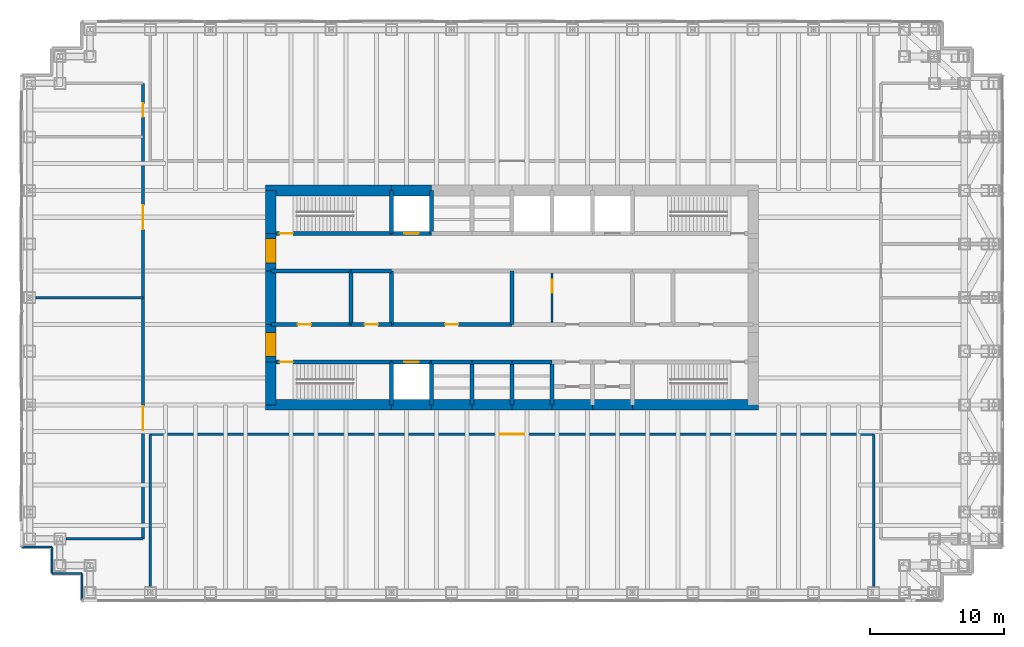
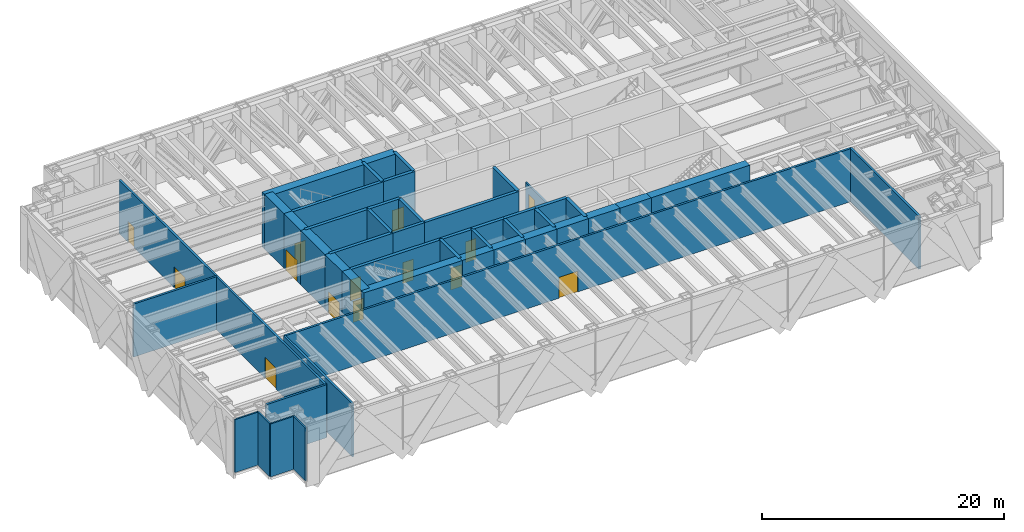
# One storey, part 14 of 17: 48 walls, 14 doors, 14 openings.
"""IFC4 building model written with IfcOpenShell, lengths in metres."""

from ifc_helpers import new_model, si_unit, direction, frame, frame_2d, origin, place, context, subcontext, project, spatial, rectangle, extrude, material, layer, layer_set, type_object, element, fill, save


model = new_model("IFC4")

# Units and contexts
model_context = context("Model", 3, precision=1e-05, world=origin(), true_north=direction((0.0, 1.0)))
body_context = subcontext(model_context, "Body", "Model", "MODEL_VIEW")
ifc_project = project(units=[si_unit("LENGTHUNIT", "METRE"), si_unit("AREAUNIT", "SQUARE_METRE"), si_unit("VOLUMEUNIT", "CUBIC_METRE"), si_unit("PLANEANGLEUNIT", "RADIAN"), si_unit("MASSUNIT", "GRAM", prefix="KILO")], contexts=[model_context])

# Site, building, storey
site_placement = place(None, origin())
site = spatial("IfcSite", under=ifc_project, at=site_placement, CompositionType="ELEMENT")
building_placement = place(site_placement, origin())
building = spatial("IfcBuilding", under=site, at=building_placement, Name="Rheinbord Bourse Tower", CompositionType="ELEMENT")
storey_placement = place(building_placement, frame((0.0, 0.0, 265.60009765625)))
storey = spatial("IfcBuildingStorey", under=building, at=storey_placement, Name="L60", CompositionType="ELEMENT", Elevation=265.60009765625)

# Wall, opening, door
ifc_material_1 = material(Name="Concrete C50/60", Category="concrete")
ifc_layer_1 = layer(ifc_material_1, 0.300048828125)
ifc_layer_set_1 = layer_set([ifc_layer_1], Name="CORE INNER WALL 300")
wall_type_1 = type_object("IfcWallType", Name="CORE INNER WALL 300", PredefinedType="SOLIDWALL", material=ifc_layer_set_1)
wall_1_placement = place(storey_placement, frame((18.0, 19.199951171875, 0.0), z_axis=(0.0, 0.0, 1.0), x_axis=(1.0, 0.0, 0.0)))
wall_1 = element("IfcWall", 1, at=wall_1_placement, inside=storey, type_object=wall_type_1, Name="Core wall A1 L60", PredefinedType="SOLIDWALL", context=body_context, shape_type="SweptSolid", body=[
    extrude(rectangle(XDim=9.0, YDim=0.300048828125, at=frame_2d((4.5, 0.0))), origin(), (0.0, 0.0, 1.0), 5.5),
])
opening_1_placement = place(wall_1_placement, frame((0.64990234375, 0.0, 0.0)))
opening_1 = element("IfcOpeningElement", 2, at=opening_1_placement, cuts=wall_1, Name="Opening 6010", PredefinedType="OPENING", context=body_context, shape_type="SweptSolid", body=[
    extrude(rectangle(XDim=1.0, YDim=2.10009765625, at=frame_2d((0.5, 1.050048828125))), frame((0.0, 0.159912109375, 0.0), z_axis=(0.0, -1.0, 0.0), x_axis=(1.0, 0.0, 0.0)), (0.0, 0.0, 1.0), 0.320068359375),
])
ifc_material_2 = material(Name="Steel door", Category="steel")
door_type_1 = type_object("IfcDoorType", Name="DOOR 1000 EI30", OperationType="SINGLE_SWING_LEFT", PredefinedType="DOOR", material=ifc_material_2)
door_1_placement = place(opening_1_placement, origin())
door_1 = element("IfcDoor", 3, at=door_1_placement, inside=storey, type_object=door_type_1, Name="Stair door ST1 L60", OperationType="SINGLE_SWING_LEFT", OverallHeight=2.10009765625, OverallWidth=1.0, PredefinedType="DOOR", context=body_context, shape_type="SweptSolid", body=[
    extrude(rectangle(XDim=1.0, YDim=2.10009765625, at=frame_2d((0.5, 1.050048828125))), frame((0.0, 0.02490234375, 0.0), z_axis=(0.0, -1.0, 0.0), x_axis=(1.0, 0.0, 0.0)), (0.0, 0.0, 1.0), 0.050048828125),
])
fill(opening_1, door_1)

wall_2_placement = place(storey_placement, frame((27.0, 19.199951171875, 0.0), z_axis=(0.0, 0.0, 1.0), x_axis=(1.0, 0.0, 0.0)))
wall_2 = element("IfcWall", 4, at=wall_2_placement, inside=storey, type_object=wall_type_1, Name="Core wall A2 L60", PredefinedType="SOLIDWALL", context=body_context, shape_type="SweptSolid", body=[
    extrude(rectangle(XDim=3.0, YDim=0.300048828125, at=frame_2d((1.5, 0.0))), origin(), (0.0, 0.0, 1.0), 5.5),
])
opening_2_placement = place(wall_2_placement, frame((0.949951171875, 0.0, 0.0)))
opening_2 = element("IfcOpeningElement", 5, at=opening_2_placement, cuts=wall_2, Name="Opening FL1", PredefinedType="OPENING", context=body_context, shape_type="SweptSolid", body=[
    extrude(rectangle(XDim=1.10009765625, YDim=2.199951171875, at=frame_2d((0.550048828125, 1.10009765625))), frame((0.0, 0.159912109375, 0.0), z_axis=(0.0, -1.0, 0.0), x_axis=(1.0, 0.0, 0.0)), (0.0, 0.0, 1.0), 0.320068359375),
])
ifc_material_3 = material(Name="Steel landing door", Category="steel")
door_type_2 = type_object("IfcDoorType", Name="LIFT LANDING DOOR 1100", OperationType="DOUBLE_DOOR_SLIDING", PredefinedType="USERDEFINED", material=ifc_material_3)
door_2_placement = place(opening_2_placement, origin())
door_2 = element("IfcDoor", 6, at=door_2_placement, inside=storey, type_object=door_type_2, Name="Lift landing door FL1 L60", ObjectType="LIFT LANDING DOOR", OperationType="DOUBLE_DOOR_SLIDING", OverallHeight=2.199951171875, OverallWidth=1.10009765625, PredefinedType="USERDEFINED", context=body_context, shape_type="SweptSolid", body=[
    extrude(rectangle(XDim=1.10009765625, YDim=2.199951171875, at=frame_2d((0.550048828125, 1.10009765625))), frame((0.0, 0.02490234375, 0.0), z_axis=(0.0, -1.0, 0.0), x_axis=(1.0, 0.0, 0.0)), (0.0, 0.0, 1.0), 0.050048828125),
])
fill(opening_2, door_2)

# Walls
for number, where, z_axis, x_axis, name in (
    (7, (30.0, 19.199951171875, 0.0), (0.0, 0.0, 1.0), (1.0, 0.0, 0.0), "Core wall A3 L60"),
    (8, (33.0, 19.199951171875, 0.0), (0.0, 0.0, 1.0), (1.0, 0.0, 0.0), "Core wall A4 L60"),
    (9, (36.0, 19.199951171875, 0.0), (0.0, 0.0, 1.0), (1.0, 0.0, 0.0), "Core wall A5 L60"),
):
    element("IfcWall", number, at=place(storey_placement, frame(where, z_axis=z_axis, x_axis=x_axis)), inside=storey, type_object=wall_type_1, Name=name, PredefinedType="SOLIDWALL", context=body_context, shape_type="SweptSolid", body=[
        extrude(rectangle(XDim=3.0, YDim=0.300048828125, at=frame_2d((1.5, 0.0))), origin(), (0.0, 0.0, 1.0), 5.5),
    ])

# Wall, opening, door
wall_3_placement = place(storey_placement, frame((18.0, 28.800048828125, 0.0), z_axis=(0.0, 0.0, 1.0), x_axis=(1.0, 0.0, 0.0)))
wall_3 = element("IfcWall", 10, at=wall_3_placement, inside=storey, type_object=wall_type_1, Name="Core wall B1 L60", PredefinedType="SOLIDWALL", context=body_context, shape_type="SweptSolid", body=[
    extrude(rectangle(XDim=9.0, YDim=0.300048828125, at=frame_2d((4.5, 0.0))), origin(), (0.0, 0.0, 1.0), 5.5),
])
opening_3_placement = place(wall_3_placement, frame((0.64990234375, 0.0, 0.0)))
opening_3 = element("IfcOpeningElement", 11, at=opening_3_placement, cuts=wall_3, Name="Opening 6020", PredefinedType="OPENING", context=body_context, shape_type="SweptSolid", body=[
    extrude(rectangle(XDim=1.0, YDim=2.10009765625, at=frame_2d((0.5, 1.050048828125))), frame((0.0, 0.159912109375, 0.0), z_axis=(0.0, -1.0, 0.0), x_axis=(1.0, 0.0, 0.0)), (0.0, 0.0, 1.0), 0.320068359375),
])
door_3_placement = place(opening_3_placement, origin())
door_3 = element("IfcDoor", 12, at=door_3_placement, inside=storey, type_object=door_type_1, Name="Stair door ST2 L60", OperationType="SINGLE_SWING_LEFT", OverallHeight=2.10009765625, OverallWidth=1.0, PredefinedType="DOOR", context=body_context, shape_type="SweptSolid", body=[
    extrude(rectangle(XDim=1.0, YDim=2.10009765625, at=frame_2d((0.5, 1.050048828125))), frame((0.0, 0.02490234375, 0.0), z_axis=(0.0, -1.0, 0.0), x_axis=(1.0, 0.0, 0.0)), (0.0, 0.0, 1.0), 0.050048828125),
])
fill(opening_3, door_3)

wall_4_placement = place(storey_placement, frame((27.0, 28.800048828125, 0.0), z_axis=(0.0, 0.0, 1.0), x_axis=(1.0, 0.0, 0.0)))
wall_4 = element("IfcWall", 13, at=wall_4_placement, inside=storey, type_object=wall_type_1, Name="Core wall B2 L60", PredefinedType="SOLIDWALL", context=body_context, shape_type="SweptSolid", body=[
    extrude(rectangle(XDim=3.0, YDim=0.300048828125, at=frame_2d((1.5, 0.0))), origin(), (0.0, 0.0, 1.0), 5.5),
])
opening_4_placement = place(wall_4_placement, frame((0.949951171875, 0.0, 0.0)))
opening_4 = element("IfcOpeningElement", 14, at=opening_4_placement, cuts=wall_4, Name="Opening GL1", PredefinedType="OPENING", context=body_context, shape_type="SweptSolid", body=[
    extrude(rectangle(XDim=1.10009765625, YDim=2.199951171875, at=frame_2d((0.550048828125, 1.10009765625))), frame((0.0, 0.159912109375, 0.0), z_axis=(0.0, -1.0, 0.0), x_axis=(1.0, 0.0, 0.0)), (0.0, 0.0, 1.0), 0.320068359375),
])
door_4_placement = place(opening_4_placement, origin())
door_4 = element("IfcDoor", 15, at=door_4_placement, inside=storey, type_object=door_type_2, Name="Lift landing door GL1 L60", ObjectType="LIFT LANDING DOOR", OperationType="DOUBLE_DOOR_SLIDING", OverallHeight=2.199951171875, OverallWidth=1.10009765625, PredefinedType="USERDEFINED", context=body_context, shape_type="SweptSolid", body=[
    extrude(rectangle(XDim=1.10009765625, YDim=2.199951171875, at=frame_2d((0.550048828125, 1.10009765625))), frame((0.0, 0.02490234375, 0.0), z_axis=(0.0, -1.0, 0.0), x_axis=(1.0, 0.0, 0.0)), (0.0, 0.0, 1.0), 0.050048828125),
])
fill(opening_4, door_4)

wall_5_placement = place(storey_placement, frame((18.0, 22.0, 0.0), z_axis=(0.0, 0.0, 1.0), x_axis=(1.0, 0.0, 0.0)))
wall_5 = element("IfcWall", 16, at=wall_5_placement, inside=storey, type_object=wall_type_1, Name="Core wall C1 L60", PredefinedType="SOLIDWALL", context=body_context, shape_type="SweptSolid", body=[
    extrude(rectangle(XDim=6.0, YDim=0.300048828125, at=frame_2d((3.0, 0.0))), origin(), (0.0, 0.0, 1.0), 5.5),
])
opening_5_placement = place(wall_5_placement, frame((2.0, 0.0, 0.0)))
opening_5 = element("IfcOpeningElement", 17, at=opening_5_placement, cuts=wall_5, Name="Opening 60R1", PredefinedType="OPENING", context=body_context, shape_type="SweptSolid", body=[
    extrude(rectangle(XDim=1.0, YDim=2.10009765625, at=frame_2d((0.5, 1.050048828125))), frame((0.0, 0.159912109375, 0.0), z_axis=(0.0, -1.0, 0.0), x_axis=(1.0, 0.0, 0.0)), (0.0, 0.0, 1.0), 0.320068359375),
])
ifc_material_4 = material(Name="Timber door", Category="wood")
door_type_3 = type_object("IfcDoorType", Name="DOOR 1000 WC", OperationType="SINGLE_SWING_LEFT", PredefinedType="DOOR", material=ifc_material_4)
door_5_placement = place(opening_5_placement, origin())
door_5 = element("IfcDoor", 18, at=door_5_placement, inside=storey, type_object=door_type_3, Name="WC men door L60", OperationType="SINGLE_SWING_LEFT", OverallHeight=2.10009765625, OverallWidth=1.0, PredefinedType="DOOR", context=body_context, shape_type="SweptSolid", body=[
    extrude(rectangle(XDim=1.0, YDim=2.10009765625, at=frame_2d((0.5, 1.050048828125))), frame((0.0, 0.02490234375, 0.0), z_axis=(0.0, -1.0, 0.0), x_axis=(1.0, 0.0, 0.0)), (0.0, 0.0, 1.0), 0.050048828125),
])
fill(opening_5, door_5)

wall_6_placement = place(storey_placement, frame((24.0, 22.0, 0.0), z_axis=(0.0, 0.0, 1.0), x_axis=(1.0, 0.0, 0.0)))
wall_6 = element("IfcWall", 19, at=wall_6_placement, inside=storey, type_object=wall_type_1, Name="Core wall C2 L60", PredefinedType="SOLIDWALL", context=body_context, shape_type="SweptSolid", body=[
    extrude(rectangle(XDim=3.0, YDim=0.300048828125, at=frame_2d((1.5, 0.0))), origin(), (0.0, 0.0, 1.0), 5.5),
])
opening_6_placement = place(wall_6_placement, frame((1.0, 0.0, 0.0)))
opening_6 = element("IfcOpeningElement", 20, at=opening_6_placement, cuts=wall_6, Name="Opening 60R2", PredefinedType="OPENING", context=body_context, shape_type="SweptSolid", body=[
    extrude(rectangle(XDim=1.0, YDim=2.10009765625, at=frame_2d((0.5, 1.050048828125))), frame((0.0, 0.159912109375, 0.0), z_axis=(0.0, -1.0, 0.0), x_axis=(1.0, 0.0, 0.0)), (0.0, 0.0, 1.0), 0.320068359375),
])
door_6_placement = place(opening_6_placement, origin())
door_6 = element("IfcDoor", 21, at=door_6_placement, inside=storey, type_object=door_type_3, Name="Accessible WC door L60", OperationType="SINGLE_SWING_LEFT", OverallHeight=2.10009765625, OverallWidth=1.0, PredefinedType="DOOR", context=body_context, shape_type="SweptSolid", body=[
    extrude(rectangle(XDim=1.0, YDim=2.10009765625, at=frame_2d((0.5, 1.050048828125))), frame((0.0, 0.02490234375, 0.0), z_axis=(0.0, -1.0, 0.0), x_axis=(1.0, 0.0, 0.0)), (0.0, 0.0, 1.0), 0.050048828125),
])
fill(opening_6, door_6)

wall_7_placement = place(storey_placement, frame((27.0, 22.0, 0.0), z_axis=(0.0, 0.0, 1.0), x_axis=(1.0, 0.0, 0.0)))
wall_7 = element("IfcWall", 22, at=wall_7_placement, inside=storey, type_object=wall_type_1, Name="Core wall C3 L60", PredefinedType="SOLIDWALL", context=body_context, shape_type="SweptSolid", body=[
    extrude(rectangle(XDim=9.0, YDim=0.300048828125, at=frame_2d((4.5, 0.0))), origin(), (0.0, 0.0, 1.0), 5.5),
])
opening_7_placement = place(wall_7_placement, frame((4.0, 0.0, 0.0)))
opening_7 = element("IfcOpeningElement", 23, at=opening_7_placement, cuts=wall_7, Name="Opening 60R3", PredefinedType="OPENING", context=body_context, shape_type="SweptSolid", body=[
    extrude(rectangle(XDim=1.0, YDim=2.10009765625, at=frame_2d((0.5, 1.050048828125))), frame((0.0, 0.159912109375, 0.0), z_axis=(0.0, -1.0, 0.0), x_axis=(1.0, 0.0, 0.0)), (0.0, 0.0, 1.0), 0.320068359375),
])
door_7_placement = place(opening_7_placement, origin())
door_7 = element("IfcDoor", 24, at=door_7_placement, inside=storey, type_object=door_type_1, Name="Riser door L60", OperationType="SINGLE_SWING_LEFT", OverallHeight=2.10009765625, OverallWidth=1.0, PredefinedType="DOOR", context=body_context, shape_type="SweptSolid", body=[
    extrude(rectangle(XDim=1.0, YDim=2.10009765625, at=frame_2d((0.5, 1.050048828125))), frame((0.0, 0.02490234375, 0.0), z_axis=(0.0, -1.0, 0.0), x_axis=(1.0, 0.0, 0.0)), (0.0, 0.0, 1.0), 0.050048828125),
])
fill(opening_7, door_7)

# Walls
wall_8_placement = place(storey_placement, frame((18.0, 26.0, 0.0), z_axis=(0.0, 0.0, 1.0), x_axis=(1.0, 0.0, 0.0)))
element("IfcWall", 25, at=wall_8_placement, inside=storey, type_object=wall_type_1, Name="Core wall D1 L60", PredefinedType="SOLIDWALL", context=body_context, shape_type="SweptSolid", body=[
    extrude(rectangle(XDim=6.0, YDim=0.300048828125, at=frame_2d((3.0, 0.0))), origin(), (0.0, 0.0, 1.0), 5.5),
])
wall_9_placement = place(storey_placement, frame((24.0, 26.0, 0.0), z_axis=(0.0, 0.0, 1.0), x_axis=(1.0, 0.0, 0.0)))
element("IfcWall", 26, at=wall_9_placement, inside=storey, type_object=wall_type_1, Name="Core wall D2 L60", PredefinedType="SOLIDWALL", context=body_context, shape_type="SweptSolid", body=[
    extrude(rectangle(XDim=3.0, YDim=0.300048828125, at=frame_2d((1.5, 0.0))), origin(), (0.0, 0.0, 1.0), 5.5),
])
for number, where, z_axis, x_axis, name in (
    (27, (27.0, 16.0, 0.0), (0.0, 0.0, 1.0), (0.0, 1.0, 0.0), "Core wall SX27 L60"),
    (28, (27.0, 28.800048828125, 0.0), (0.0, 0.0, 1.0), (0.0, 1.0, 0.0), "Core wall NX27 L60"),
    (29, (30.0, 16.0, 0.0), (0.0, 0.0, 1.0), (0.0, 1.0, 0.0), "Core wall SX30 L60"),
    (30, (30.0, 28.800048828125, 0.0), (0.0, 0.0, 1.0), (0.0, 1.0, 0.0), "Core wall NX30 L60"),
    (31, (33.0, 16.0, 0.0), (0.0, 0.0, 1.0), (0.0, 1.0, 0.0), "Core wall SX33 L60"),
    (32, (36.0, 16.0, 0.0), (0.0, 0.0, 1.0), (0.0, 1.0, 0.0), "Core wall SX36 L60"),
    (33, (39.0, 16.0, 0.0), (0.0, 0.0, 1.0), (0.0, 1.0, 0.0), "Core wall SX39 L60"),
):
    element("IfcWall", number, at=place(storey_placement, frame(where, z_axis=z_axis, x_axis=x_axis)), inside=storey, type_object=wall_type_1, Name=name, PredefinedType="SOLIDWALL", context=body_context, shape_type="SweptSolid", body=[
        extrude(rectangle(XDim=3.199951171875, YDim=0.300048828125, at=frame_2d((1.60009765625, 0.0))), origin(), (0.0, 0.0, 1.0), 5.5),
    ])
for number, where, z_axis, x_axis, name in (
    (34, (24.0, 22.0, 0.0), (0.0, 0.0, 1.0), (0.0, 1.0, 0.0), "Core wall MX24 L60"),
    (35, (27.0, 22.0, 0.0), (0.0, 0.0, 1.0), (0.0, 1.0, 0.0), "Core wall MX27 L60"),
    (36, (36.0, 22.0, 0.0), (0.0, 0.0, 1.0), (0.0, 1.0, 0.0), "Core wall MX36 L60"),
):
    element("IfcWall", number, at=place(storey_placement, frame(where, z_axis=z_axis, x_axis=x_axis)), inside=storey, type_object=wall_type_1, Name=name, PredefinedType="SOLIDWALL", context=body_context, shape_type="SweptSolid", body=[
        extrude(rectangle(XDim=4.0, YDim=0.300048828125, at=frame_2d((2.0, 0.0))), origin(), (0.0, 0.0, 1.0), 5.5),
    ])

# Wall, opening, door
ifc_material_5 = material(Name="Gypsum board fire partition", Category="gypsum board")
ifc_layer_2 = layer(ifc_material_5, 0.14990234375)
ifc_layer_set_2 = layer_set([ifc_layer_2], Name="CORE PARTITION 150 EI30")
wall_type_2 = type_object("IfcWallType", Name="CORE PARTITION 150 EI30", PredefinedType="PARTITIONING", material=ifc_layer_set_2)
wall_10_placement = place(storey_placement, frame((39.0, 22.14990234375, 0.0), z_axis=(0.0, 0.0, 1.0), x_axis=(0.0, 1.0, 0.0)))
wall_10 = element("IfcWall", 37, at=wall_10_placement, inside=storey, type_object=wall_type_2, Name="Core partition L60-1", PredefinedType="PARTITIONING", context=body_context, shape_type="SweptSolid", body=[
    extrude(rectangle(XDim=3.7001953125, YDim=0.14990234375, at=frame_2d((1.85009765625, 0.0))), origin(), (0.0, 0.0, 1.0), 3.0),
])
opening_8_placement = place(wall_10_placement, frame((2.199951171875, 0.0, 0.0)))
opening_8 = element("IfcOpeningElement", 38, at=opening_8_placement, cuts=wall_10, Name="Opening 60R7", PredefinedType="OPENING", context=body_context, shape_type="SweptSolid", body=[
    extrude(rectangle(XDim=1.0, YDim=2.10009765625, at=frame_2d((0.5, 1.050048828125))), frame((0.0, 0.0849609375, 0.0), z_axis=(0.0, -1.0, 0.0), x_axis=(1.0, 0.0, 0.0)), (0.0, 0.0, 1.0), 0.169921875),
])
door_8_placement = place(opening_8_placement, origin())
door_8 = element("IfcDoor", 39, at=door_8_placement, inside=storey, type_object=door_type_1, Name="Cleaner's store door L60", OperationType="SINGLE_SWING_RIGHT", OverallHeight=2.10009765625, OverallWidth=1.0, PredefinedType="DOOR", context=body_context, shape_type="SweptSolid", body=[
    extrude(rectangle(XDim=1.0, YDim=2.10009765625, at=frame_2d((0.5, 1.050048828125))), frame((0.0, 0.02490234375, 0.0), z_axis=(0.0, -1.0, 0.0), x_axis=(1.0, 0.0, 0.0)), (0.0, 0.0, 1.0), 0.050048828125),
])
fill(opening_8, door_8)

# Walls
ifc_material_6 = material(Name="Concrete C50/60", Category="concrete")
ifc_layer_3 = layer(ifc_material_6, 0.800048828125)
ifc_layer_set_3 = layer_set([ifc_layer_3], Name="CORE WALL 800")
wall_type_3 = type_object("IfcWallType", Name="CORE WALL 800", PredefinedType="SHEAR", material=ifc_layer_set_3)
wall_11_placement = place(storey_placement, frame((17.60009765625, 16.0, 0.0), z_axis=(0.0, 0.0, 1.0), x_axis=(1.0, 0.0, 0.0)))
element("IfcWall", 40, at=wall_11_placement, inside=storey, type_object=wall_type_3, Name="Core wall S1 L60", PredefinedType="SHEAR", context=body_context, shape_type="SweptSolid", body=[
    extrude(rectangle(XDim=9.39990234375, YDim=0.800048828125, at=frame_2d((4.699951171875, 0.0))), origin(), (0.0, 0.0, 1.0), 5.5),
])
for number, where, z_axis, x_axis, name in (
    (41, (27.0, 16.0, 0.0), (0.0, 0.0, 1.0), (1.0, 0.0, 0.0), "Core wall S2 L60"),
    (42, (30.0, 16.0, 0.0), (0.0, 0.0, 1.0), (1.0, 0.0, 0.0), "Core wall S3 L60"),
    (43, (33.0, 16.0, 0.0), (0.0, 0.0, 1.0), (1.0, 0.0, 0.0), "Core wall S4 L60"),
    (44, (36.0, 16.0, 0.0), (0.0, 0.0, 1.0), (1.0, 0.0, 0.0), "Core wall S5 L60"),
    (45, (39.0, 16.0, 0.0), (0.0, 0.0, 1.0), (1.0, 0.0, 0.0), "Core wall S6 L60"),
    (46, (42.0, 16.0, 0.0), (0.0, 0.0, 1.0), (1.0, 0.0, 0.0), "Core wall S7 L60"),
):
    element("IfcWall", number, at=place(storey_placement, frame(where, z_axis=z_axis, x_axis=x_axis)), inside=storey, type_object=wall_type_3, Name=name, PredefinedType="SHEAR", context=body_context, shape_type="SweptSolid", body=[
        extrude(rectangle(XDim=3.0, YDim=0.800048828125, at=frame_2d((1.5, 0.0))), origin(), (0.0, 0.0, 1.0), 5.5),
    ])
wall_12_placement = place(storey_placement, frame((45.0, 16.0, 0.0), z_axis=(0.0, 0.0, 1.0), x_axis=(1.0, 0.0, 0.0)))
element("IfcWall", 47, at=wall_12_placement, inside=storey, type_object=wall_type_3, Name="Core wall S8 L60", PredefinedType="SHEAR", context=body_context, shape_type="SweptSolid", body=[
    extrude(rectangle(XDim=9.39990234375, YDim=0.800048828125, at=frame_2d((4.699951171875, 0.0))), origin(), (0.0, 0.0, 1.0), 5.5),
])
wall_13_placement = place(storey_placement, frame((30.0, 32.0, 0.0), z_axis=(0.0, 0.0, 1.0), x_axis=(-1.0, 0.0, 0.0)))
element("IfcWall", 48, at=wall_13_placement, inside=storey, type_object=wall_type_3, Name="Core wall N7 L60", PredefinedType="SHEAR", context=body_context, shape_type="SweptSolid", body=[
    extrude(rectangle(XDim=3.0, YDim=0.800048828125, at=frame_2d((1.5, 0.0))), origin(), (0.0, 0.0, 1.0), 5.5),
])
wall_14_placement = place(storey_placement, frame((27.0, 32.0, 0.0), z_axis=(0.0, 0.0, 1.0), x_axis=(-1.0, 0.0, 0.0)))
element("IfcWall", 49, at=wall_14_placement, inside=storey, type_object=wall_type_3, Name="Core wall N8 L60", PredefinedType="SHEAR", context=body_context, shape_type="SweptSolid", body=[
    extrude(rectangle(XDim=9.39990234375, YDim=0.800048828125, at=frame_2d((4.699951171875, 0.0))), origin(), (0.0, 0.0, 1.0), 5.5),
])
wall_15_placement = place(storey_placement, frame((18.0, 32.0, 0.0), z_axis=(0.0, 0.0, 1.0), x_axis=(0.0, -1.0, 0.0)))
element("IfcWall", 50, at=wall_15_placement, inside=storey, type_object=wall_type_3, Name="Core wall W1 L60", PredefinedType="SHEAR", context=body_context, shape_type="SweptSolid", body=[
    extrude(rectangle(XDim=3.199951171875, YDim=0.800048828125, at=frame_2d((1.60009765625, 0.0))), origin(), (0.0, 0.0, 1.0), 5.5),
])

# Wall, opening, door
wall_16_placement = place(storey_placement, frame((18.0, 28.800048828125, 0.0), z_axis=(0.0, 0.0, 1.0), x_axis=(0.0, -1.0, 0.0)))
wall_16 = element("IfcWall", 51, at=wall_16_placement, inside=storey, type_object=wall_type_3, Name="Core wall W2 L60", PredefinedType="SHEAR", context=body_context, shape_type="SweptSolid", body=[
    extrude(rectangle(XDim=2.800048828125, YDim=0.800048828125, at=frame_2d((1.39990234375, 0.0))), origin(), (0.0, 0.0, 1.0), 5.5),
])
opening_9_placement = place(wall_16_placement, frame((0.39990234375, 0.0, 0.0)))
opening_9 = element("IfcOpeningElement", 52, at=opening_9_placement, cuts=wall_16, Name="Opening 60L2", PredefinedType="OPENING", context=body_context, shape_type="SweptSolid", body=[
    extrude(rectangle(XDim=1.800048828125, YDim=2.10009765625, at=frame_2d((0.89990234375, 1.050048828125))), frame((0.0, 0.409912109375, 0.0), z_axis=(0.0, -1.0, 0.0), x_axis=(1.0, 0.0, 0.0)), (0.0, 0.0, 1.0), 0.820068359375),
])
ifc_material_7 = material(Name="Steel door", Category="steel")
door_type_4 = type_object("IfcDoorType", Name="DOOR 1800 EI30 DOUBLE", OperationType="DOUBLE_DOOR_DOUBLE_SWING", PredefinedType="DOOR", material=ifc_material_7)
door_9_placement = place(opening_9_placement, origin())
door_9 = element("IfcDoor", 53, at=door_9_placement, inside=storey, type_object=door_type_4, Name="Lobby door 2 L60", OperationType="SINGLE_SWING_LEFT", OverallHeight=2.10009765625, OverallWidth=1.800048828125, PredefinedType="DOOR", context=body_context, shape_type="SweptSolid", body=[
    extrude(rectangle(XDim=1.800048828125, YDim=2.10009765625, at=frame_2d((0.89990234375, 1.050048828125))), frame((0.0, 0.39990234375, 0.0), z_axis=(0.0, -1.0, 0.0), x_axis=(1.0, 0.0, 0.0)), (0.0, 0.0, 1.0), 0.799560546875),
])
fill(opening_9, door_9)

# Wall
wall_17_placement = place(storey_placement, frame((18.0, 26.0, 0.0), z_axis=(0.0, 0.0, 1.0), x_axis=(0.0, -1.0, 0.0)))
element("IfcWall", 54, at=wall_17_placement, inside=storey, type_object=wall_type_3, Name="Core wall W3 L60", PredefinedType="SHEAR", context=body_context, shape_type="SweptSolid", body=[
    extrude(rectangle(XDim=4.0, YDim=0.800048828125, at=frame_2d((2.0, 0.0))), origin(), (0.0, 0.0, 1.0), 5.5),
])

# Wall, opening, door
wall_18_placement = place(storey_placement, frame((18.0, 22.0, 0.0), z_axis=(0.0, 0.0, 1.0), x_axis=(0.0, -1.0, 0.0)))
wall_18 = element("IfcWall", 55, at=wall_18_placement, inside=storey, type_object=wall_type_3, Name="Core wall W4 L60", PredefinedType="SHEAR", context=body_context, shape_type="SweptSolid", body=[
    extrude(rectangle(XDim=2.800048828125, YDim=0.800048828125, at=frame_2d((1.39990234375, 0.0))), origin(), (0.0, 0.0, 1.0), 5.5),
])
opening_10_placement = place(wall_18_placement, frame((0.60009765625, 0.0, 0.0)))
opening_10 = element("IfcOpeningElement", 56, at=opening_10_placement, cuts=wall_18, Name="Opening 60L1", PredefinedType="OPENING", context=body_context, shape_type="SweptSolid", body=[
    extrude(rectangle(XDim=1.800048828125, YDim=2.10009765625, at=frame_2d((0.89990234375, 1.050048828125))), frame((0.0, 0.409912109375, 0.0), z_axis=(0.0, -1.0, 0.0), x_axis=(1.0, 0.0, 0.0)), (0.0, 0.0, 1.0), 0.820068359375),
])
door_10_placement = place(opening_10_placement, origin())
door_10 = element("IfcDoor", 57, at=door_10_placement, inside=storey, type_object=door_type_4, Name="Lobby door 1 L60", OperationType="SINGLE_SWING_LEFT", OverallHeight=2.10009765625, OverallWidth=1.800048828125, PredefinedType="DOOR", context=body_context, shape_type="SweptSolid", body=[
    extrude(rectangle(XDim=1.800048828125, YDim=2.10009765625, at=frame_2d((0.89990234375, 1.050048828125))), frame((0.0, 0.39990234375, 0.0), z_axis=(0.0, -1.0, 0.0), x_axis=(1.0, 0.0, 0.0)), (0.0, 0.0, 1.0), 0.799560546875),
])
fill(opening_10, door_10)

# Walls
wall_19_placement = place(storey_placement, frame((18.0, 19.199951171875, 0.0), z_axis=(0.0, 0.0, 1.0), x_axis=(0.0, -1.0, 0.0)))
element("IfcWall", 58, at=wall_19_placement, inside=storey, type_object=wall_type_3, Name="Core wall W5 L60", PredefinedType="SHEAR", context=body_context, shape_type="SweptSolid", body=[
    extrude(rectangle(XDim=3.199951171875, YDim=0.800048828125, at=frame_2d((1.60009765625, 0.0))), origin(), (0.0, 0.0, 1.0), 5.5),
])
ifc_material_8 = material(Name="Black metal rainscreen panel", Category="aluminium")
ifc_layer_4 = layer(ifc_material_8, 0.14990234375)
ifc_layer_set_4 = layer_set([ifc_layer_4], Name="CORNER PIER CLADDING 150")
wall_type_4 = type_object("IfcWallType", Name="CORNER PIER CLADDING 150", PredefinedType="ELEMENTEDWALL", material=ifc_layer_set_4)
wall_20_placement = place(storey_placement, frame((-0.60009765625, 5.39990234375, 0.0), z_axis=(0.0, 0.0, 1.0), x_axis=(1.0, 0.0, 0.0)))
element("IfcWall", 59, at=wall_20_placement, inside=storey, type_object=wall_type_4, Name="Corner pier cladding L60 17", PredefinedType="ELEMENTEDWALL", context=body_context, shape_type="SweptSolid", body=[
    extrude(rectangle(XDim=2.25, YDim=0.14990234375, at=frame_2d((1.125, 0.0))), origin(), (0.0, 0.0, 1.0), 5.33984375),
])
wall_21_placement = place(storey_placement, frame((1.64990234375, 5.39990234375, 0.0), z_axis=(0.0, 0.0, 1.0), x_axis=(0.0, -1.0, 0.0)))
element("IfcWall", 60, at=wall_21_placement, inside=storey, type_object=wall_type_4, Name="Corner pier cladding L60 18", PredefinedType="ELEMENTEDWALL", context=body_context, shape_type="SweptSolid", body=[
    extrude(rectangle(XDim=2.0, YDim=0.14990234375, at=frame_2d((1.0, 0.0))), origin(), (0.0, 0.0, 1.0), 5.33984375),
])
wall_22_placement = place(storey_placement, frame((1.64990234375, 3.39990234375, 0.0), z_axis=(0.0, 0.0, 1.0), x_axis=(1.0, 0.0, 0.0)))
element("IfcWall", 61, at=wall_22_placement, inside=storey, type_object=wall_type_4, Name="Corner pier cladding L60 19", PredefinedType="ELEMENTEDWALL", context=body_context, shape_type="SweptSolid", body=[
    extrude(rectangle(XDim=2.25, YDim=0.14990234375, at=frame_2d((1.125, 0.0))), origin(), (0.0, 0.0, 1.0), 5.33984375),
])
wall_23_placement = place(storey_placement, frame((3.89990234375, 3.39990234375, 0.0), z_axis=(0.0, 0.0, 1.0), x_axis=(0.0, -1.0, 0.0)))
element("IfcWall", 62, at=wall_23_placement, inside=storey, type_object=wall_type_4, Name="Corner pier cladding L60 20", PredefinedType="ELEMENTEDWALL", context=body_context, shape_type="SweptSolid", body=[
    extrude(rectangle(XDim=2.0, YDim=0.14990234375, at=frame_2d((1.0, 0.0))), origin(), (0.0, 0.0, 1.0), 5.33984375),
])
ifc_material_9 = material(Name="Concrete block plant room wall", Category="concrete")
ifc_layer_5 = layer(ifc_material_9, 0.199951171875)
ifc_layer_set_5 = layer_set([ifc_layer_5], Name="PLANT ROOM PARTITION 200 EI90")
wall_type_5 = type_object("IfcWallType", Name="PLANT ROOM PARTITION 200 EI90", PredefinedType="PARTITIONING", material=ifc_layer_set_5)
wall_24_placement = place(storey_placement, frame((2.699951171875, 6.0, 0.0), z_axis=(0.0, 0.0, 1.0), x_axis=(1.0, 0.0, 0.0)))
element("IfcWall", 63, at=wall_24_placement, inside=storey, type_object=wall_type_5, Name="Partition L60-01", PredefinedType="PARTITIONING", context=body_context, shape_type="SweptSolid", body=[
    extrude(rectangle(XDim=5.75, YDim=0.199951171875, at=frame_2d((2.875, 0.0))), origin(), (0.0, 0.0, 1.0), 5.33984375),
])

# Wall, opening, door
wall_25_placement = place(storey_placement, frame((9.0, 13.800048828125, 0.0), z_axis=(0.0, 0.0, 1.0), x_axis=(1.0, 0.0, 0.0)))
wall_25 = element("IfcWall", 64, at=wall_25_placement, inside=storey, type_object=wall_type_5, Name="Partition L60-03", PredefinedType="PARTITIONING", context=body_context, shape_type="SweptSolid", body=[
    extrude(rectangle(XDim=54.0, YDim=0.199951171875, at=frame_2d((27.0, 0.0))), origin(), (0.0, 0.0, 1.0), 5.33984375),
])
opening_11_placement = place(wall_25_placement, frame((26.10009765625, 0.0, 0.0)))
opening_11 = element("IfcOpeningElement", 65, at=opening_11_placement, cuts=wall_25, Name="Opening 60P01", PredefinedType="OPENING", context=body_context, shape_type="SweptSolid", body=[
    extrude(rectangle(XDim=1.800048828125, YDim=2.10009765625, at=frame_2d((0.89990234375, 1.050048828125))), frame((0.0, 0.10986328125, 0.0), z_axis=(0.0, -1.0, 0.0), x_axis=(1.0, 0.0, 0.0)), (0.0, 0.0, 1.0), 0.219970703125),
])
ifc_material_10 = material(Name="Steel fire door", Category="steel")
door_type_5 = type_object("IfcDoorType", Name="PLANT ROOM DOUBLE DOOR 1800 EI60", OperationType="DOUBLE_DOOR_DOUBLE_SWING", PredefinedType="DOOR", material=ifc_material_10)
door_11_placement = place(opening_11_placement, origin())
door_11 = element("IfcDoor", 66, at=door_11_placement, inside=storey, type_object=door_type_5, Name="Refuge area door L60", OperationType="SINGLE_SWING_LEFT", OverallHeight=2.10009765625, OverallWidth=1.800048828125, PredefinedType="DOOR", context=body_context, shape_type="SweptSolid", body=[
    extrude(rectangle(XDim=1.800048828125, YDim=2.10009765625, at=frame_2d((0.89990234375, 1.050048828125))), frame((0.0, 0.02490234375, 0.0), z_axis=(0.0, -1.0, 0.0), x_axis=(1.0, 0.0, 0.0)), (0.0, 0.0, 1.0), 0.050048828125),
])
fill(opening_11, door_11)

# Wall
wall_26_placement = place(storey_placement, frame((0.449951171875, 24.0, 0.0), z_axis=(0.0, 0.0, 1.0), x_axis=(1.0, 0.0, 0.0)))
element("IfcWall", 67, at=wall_26_placement, inside=storey, type_object=wall_type_5, Name="Partition L60-04", PredefinedType="PARTITIONING", context=body_context, shape_type="SweptSolid", body=[
    extrude(rectangle(XDim=8.0, YDim=0.199951171875, at=frame_2d((4.0, 0.0))), origin(), (0.0, 0.0, 1.0), 5.33984375),
])

# Wall, openings, doors
wall_27_placement = place(storey_placement, frame((8.449951171875, 6.0, 0.0), z_axis=(0.0, 0.0, 1.0), x_axis=(0.0, 1.0, 0.0)))
wall_27 = element("IfcWall", 68, at=wall_27_placement, inside=storey, type_object=wall_type_5, Name="Partition L60-12", PredefinedType="PARTITIONING", context=body_context, shape_type="SweptSolid", body=[
    extrude(rectangle(XDim=34.0, YDim=0.199951171875, at=frame_2d((17.0, 0.0))), origin(), (0.0, 0.0, 1.0), 5.33984375),
])
opening_12_placement = place(wall_27_placement, frame((8.10009765625, 0.0, 0.0)))
opening_12 = element("IfcOpeningElement", 69, at=opening_12_placement, cuts=wall_27, Name="Opening 60P03", PredefinedType="OPENING", context=body_context, shape_type="SweptSolid", body=[
    extrude(rectangle(XDim=1.800048828125, YDim=2.10009765625, at=frame_2d((0.89990234375, 1.050048828125))), frame((0.0, 0.10986328125, 0.0), z_axis=(0.0, -1.0, 0.0), x_axis=(1.0, 0.0, 0.0)), (0.0, 0.0, 1.0), 0.219970703125),
])
opening_13_placement = place(wall_27_placement, frame((23.10009765625, 0.0, 0.0)))
opening_13 = element("IfcOpeningElement", 70, at=opening_13_placement, cuts=wall_27, Name="Opening 60P05", PredefinedType="OPENING", context=body_context, shape_type="SweptSolid", body=[
    extrude(rectangle(XDim=1.800048828125, YDim=2.10009765625, at=frame_2d((0.89990234375, 1.050048828125))), frame((0.0, 0.10986328125, 0.0), z_axis=(0.0, -1.0, 0.0), x_axis=(1.0, 0.0, 0.0)), (0.0, 0.0, 1.0), 0.219970703125),
])
opening_14_placement = place(wall_27_placement, frame((31.5, 0.0, 0.0)))
opening_14 = element("IfcOpeningElement", 71, at=opening_14_placement, cuts=wall_27, Name="Opening 60P08", PredefinedType="OPENING", context=body_context, shape_type="SweptSolid", body=[
    extrude(rectangle(XDim=1.0, YDim=2.10009765625, at=frame_2d((0.5, 1.050048828125))), frame((0.0, 0.10986328125, 0.0), z_axis=(0.0, -1.0, 0.0), x_axis=(1.0, 0.0, 0.0)), (0.0, 0.0, 1.0), 0.219970703125),
])
ifc_material_11 = material(Name="Steel fire door", Category="steel")
door_type_6 = type_object("IfcDoorType", Name="PLANT ROOM DOOR 1000 EI60", OperationType="SINGLE_SWING_LEFT", PredefinedType="DOOR", material=ifc_material_11)
door_12_placement = place(opening_14_placement, origin())
door_12 = element("IfcDoor", 72, at=door_12_placement, inside=storey, type_object=door_type_6, Name="Sprinkler booster pump room door L60", OperationType="SINGLE_SWING_RIGHT", OverallHeight=2.10009765625, OverallWidth=1.0, PredefinedType="DOOR", context=body_context, shape_type="SweptSolid", body=[
    extrude(rectangle(XDim=1.0, YDim=2.10009765625, at=frame_2d((0.5, 1.050048828125))), frame((0.0, 0.02490234375, 0.0), z_axis=(0.0, -1.0, 0.0), x_axis=(1.0, 0.0, 0.0)), (0.0, 0.0, 1.0), 0.050048828125),
])
fill(opening_14, door_12)
door_13_placement = place(opening_12_placement, origin())
door_13 = element("IfcDoor", 73, at=door_13_placement, inside=storey, type_object=door_type_5, Name="Air handling plant room door L60", OperationType="SINGLE_SWING_LEFT", OverallHeight=2.10009765625, OverallWidth=1.800048828125, PredefinedType="DOOR", context=body_context, shape_type="SweptSolid", body=[
    extrude(rectangle(XDim=1.800048828125, YDim=2.10009765625, at=frame_2d((0.89990234375, 1.050048828125))), frame((0.0, 0.02490234375, 0.0), z_axis=(0.0, -1.0, 0.0), x_axis=(1.0, 0.0, 0.0)), (0.0, 0.0, 1.0), 0.050048828125),
])
fill(opening_12, door_13)
door_14_placement = place(opening_13_placement, origin())
door_14 = element("IfcDoor", 74, at=door_14_placement, inside=storey, type_object=door_type_5, Name="Booster pump room door L60", OperationType="SINGLE_SWING_LEFT", OverallHeight=2.10009765625, OverallWidth=1.800048828125, PredefinedType="DOOR", context=body_context, shape_type="SweptSolid", body=[
    extrude(rectangle(XDim=1.800048828125, YDim=2.10009765625, at=frame_2d((0.89990234375, 1.050048828125))), frame((0.0, 0.02490234375, 0.0), z_axis=(0.0, -1.0, 0.0), x_axis=(1.0, 0.0, 0.0)), (0.0, 0.0, 1.0), 0.050048828125),
])
fill(opening_13, door_14)

# Walls
for number, where, z_axis, x_axis, name in (
    (75, (9.0, 2.449951171875, 0.0), (0.0, 0.0, 1.0), (0.0, 1.0, 0.0), "Partition L60-13"),
    (76, (63.0, 2.449951171875, 0.0), (0.0, 0.0, 1.0), (0.0, 1.0, 0.0), "Partition L60-15"),
):
    element("IfcWall", number, at=place(storey_placement, frame(where, z_axis=z_axis, x_axis=x_axis)), inside=storey, type_object=wall_type_5, Name=name, PredefinedType="PARTITIONING", context=body_context, shape_type="SweptSolid", body=[
        extrude(rectangle(XDim=11.35009765625, YDim=0.199951171875, at=frame_2d((5.675048828125, 0.0))), origin(), (0.0, 0.0, 1.0), 5.33984375),
    ])

save(model, "model.ifc")
